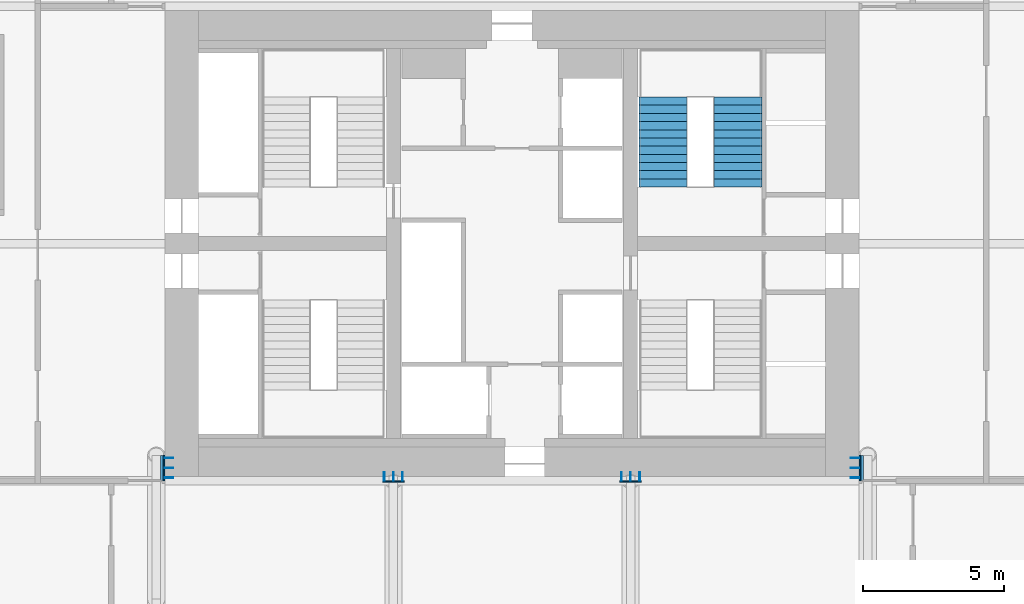
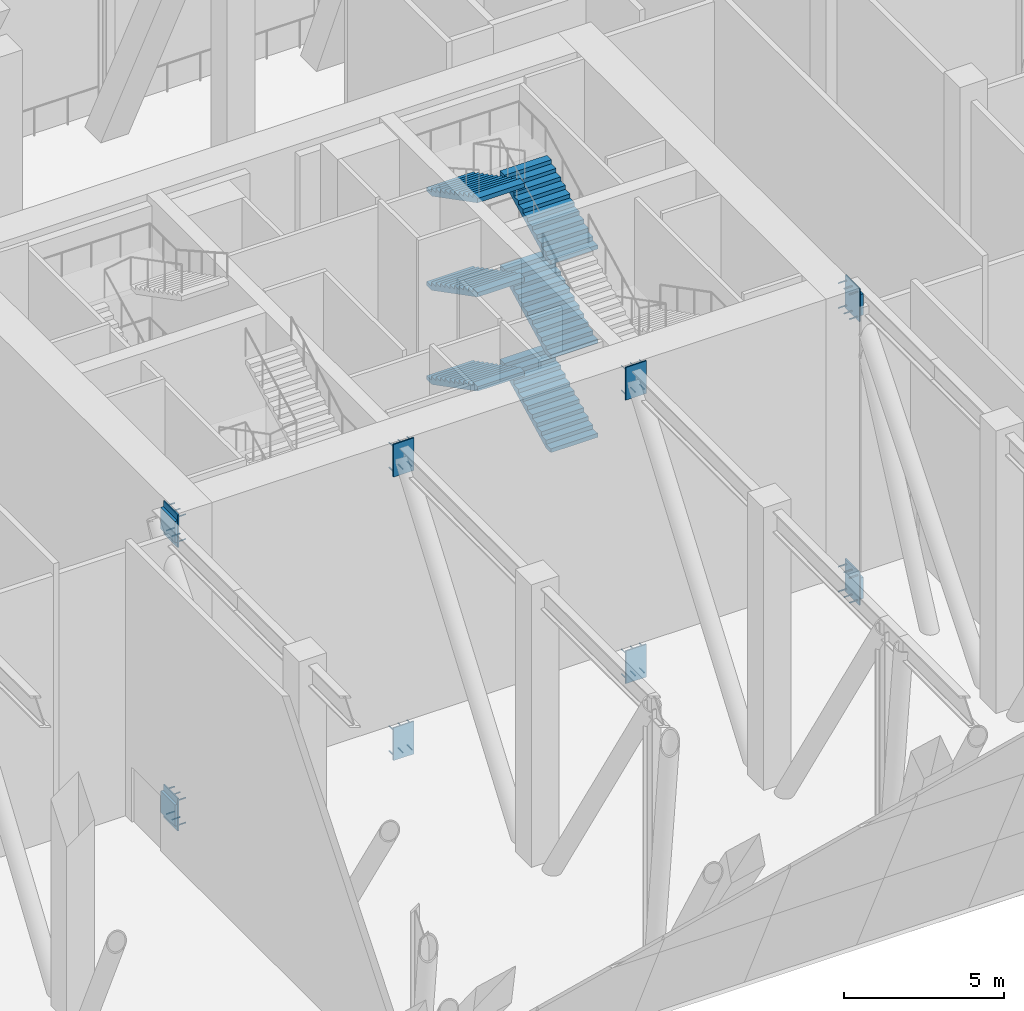
# One storey, part 13 of 19: 48 mechanical fasteners, 12 discrete accessories, 6 stair flights, 1 element without a shape of its own.
"""IFC4 building model written with IfcOpenShell, lengths in metres."""

from ifc_helpers import new_model, si_unit, direction, frame, origin, origin_2d, place, context, subcontext, project, spatial, polyline, rectangle, outline, extrude, material, layer, layer_set, type_object, element, aggregate, save


model = new_model("IFC4")

# Units and contexts
model_context = context("Model", 3, precision=1e-05, world=origin(), true_north=direction((0.0, 1.0)))
body_context = subcontext(model_context, "Body", "Model", "MODEL_VIEW")
ifc_project = project(units=[si_unit("LENGTHUNIT", "METRE"), si_unit("AREAUNIT", "SQUARE_METRE"), si_unit("VOLUMEUNIT", "CUBIC_METRE"), si_unit("PLANEANGLEUNIT", "RADIAN"), si_unit("MASSUNIT", "GRAM", prefix="KILO")], contexts=[model_context])

# Site, building, storey
site_placement = place(None, origin())
site = spatial("IfcSite", under=ifc_project, at=site_placement, CompositionType="ELEMENT")
building_placement = place(site_placement, origin())
building = spatial("IfcBuilding", under=site, at=building_placement, Name="Marenta Gate Hotel Tower", CompositionType="ELEMENT")
storey_placement = place(building_placement, frame((0.0, 0.0, 86.89990234375)))
storey = spatial("IfcBuildingStorey", under=building, at=storey_placement, Name="L20", CompositionType="ELEMENT", Elevation=86.89990234375)

# Stair, stair flights
ifc_material_1 = material(Name="Concrete C40", Category="concrete")
stair_type = type_object("IfcStairType", Name="Core exit stair 1700 wide", PredefinedType="HALF_TURN_STAIR", material=ifc_material_1)
stair_placement = place(storey_placement, origin())
stair = element("IfcStair", 1, at=stair_placement, inside=storey, type_object=stair_type, Name="Exit stair 4", PredefinedType="HALF_TURN_STAIR")
ifc_material_2 = material(Name="Concrete C40", Category="concrete")
stair_flight_type = type_object("IfcStairFlightType", Name="Core stair flight 1700 riser 150.0 going 290", PredefinedType="STRAIGHT", material=ifc_material_2)
stair_flight_1_placement = place(storey_placement, frame((8.0, 10.39990234375, 0.0), z_axis=(0.0, 0.0, 1.0), x_axis=(0.0, 1.0, 0.0)))
stair_flight_1 = element("IfcStairFlight", 2, at=stair_flight_1_placement, type_object=stair_flight_type, Name="ST4 flight 1", NumberOfRisers=12, NumberOfTreads=11, PredefinedType="STRAIGHT", RiserHeight=0.15, TreadLength=0.29, context=body_context, shape_type="SweptSolid", body=[
    extrude(outline(polyline([(0.0, 0.0), (0.0, 0.14990234375), (0.2900390625, 0.14990234375), (0.2900390625, 0.300048828125), (0.580078125, 0.300048828125), (0.580078125, 0.449951171875), (0.8701171875, 0.449951171875), (0.8701171875, 0.60009765625), (1.159912109375, 0.60009765625), (1.159912109375, 0.75), (1.449951171875, 0.75), (1.449951171875, 0.89990234375), (1.739990234375, 0.89990234375), (1.739990234375, 1.050048828125), (2.030029296875, 1.050048828125), (2.030029296875, 1.199951171875), (2.320068359375, 1.199951171875), (2.320068359375, 1.35009765625), (2.610107421875, 1.35009765625), (2.610107421875, 1.5), (2.89990234375, 1.5), (2.89990234375, 1.64990234375), (3.18994140625, 1.64990234375), (3.18994140625, 1.800048828125), (3.18994140625, 1.481201171875), (0.326171875, 0.0), (0.0, 0.0)])), frame((0.0, 0.85009765625, 0.0), z_axis=(0.0, -1.0, 0.0), x_axis=(1.0, 0.0, 0.0)), (0.0, 0.0, 1.0), 1.699951171875),
])
stair_flight_2_placement = place(storey_placement, frame((5.35009765625, 13.590087890625, 1.800048828125), z_axis=(0.0, 0.0, 1.0), x_axis=(0.0, -1.0, 0.0)))
stair_flight_2 = element("IfcStairFlight", 3, at=stair_flight_2_placement, type_object=stair_flight_type, Name="ST4 flight 2", NumberOfRisers=12, NumberOfTreads=11, PredefinedType="STRAIGHT", RiserHeight=0.15, TreadLength=0.29, context=body_context, shape_type="SweptSolid", body=[
    extrude(outline(polyline([(0.0, 0.0), (0.0, 0.14990234375), (0.2900390625, 0.14990234375), (0.2900390625, 0.300048828125), (0.580078125, 0.300048828125), (0.580078125, 0.449951171875), (0.8701171875, 0.449951171875), (0.8701171875, 0.60009765625), (1.159912109375, 0.60009765625), (1.159912109375, 0.75), (1.449951171875, 0.75), (1.449951171875, 0.89990234375), (1.739990234375, 0.89990234375), (1.739990234375, 1.050048828125), (2.030029296875, 1.050048828125), (2.030029296875, 1.199951171875), (2.320068359375, 1.199951171875), (2.320068359375, 1.35009765625), (2.610107421875, 1.35009765625), (2.610107421875, 1.5), (2.89990234375, 1.5), (2.89990234375, 1.64990234375), (3.18994140625, 1.64990234375), (3.18994140625, 1.800048828125), (3.18994140625, 1.481201171875), (0.326171875, 0.0), (0.0, 0.0)])), frame((0.0, 0.85009765625, 0.0), z_axis=(0.0, -1.0, 0.0), x_axis=(1.0, 0.0, 0.0)), (0.0, 0.0, 1.0), 1.699951171875),
])
stair_flight_3_placement = place(storey_placement, frame((8.0, 10.39990234375, 3.60009765625), z_axis=(0.0, 0.0, 1.0), x_axis=(0.0, 1.0, 0.0)))
stair_flight_3 = element("IfcStairFlight", 4, at=stair_flight_3_placement, type_object=stair_flight_type, Name="ST4 flight 3", NumberOfRisers=12, NumberOfTreads=11, PredefinedType="STRAIGHT", RiserHeight=0.15, TreadLength=0.29, context=body_context, shape_type="SweptSolid", body=[
    extrude(outline(polyline([(0.0, 0.0), (0.0, 0.14990234375), (0.2900390625, 0.14990234375), (0.2900390625, 0.300048828125), (0.580078125, 0.300048828125), (0.580078125, 0.449951171875), (0.8701171875, 0.449951171875), (0.8701171875, 0.60009765625), (1.159912109375, 0.60009765625), (1.159912109375, 0.75), (1.449951171875, 0.75), (1.449951171875, 0.89990234375), (1.739990234375, 0.89990234375), (1.739990234375, 1.050048828125), (2.030029296875, 1.050048828125), (2.030029296875, 1.199951171875), (2.320068359375, 1.199951171875), (2.320068359375, 1.35009765625), (2.610107421875, 1.35009765625), (2.610107421875, 1.5), (2.89990234375, 1.5), (2.89990234375, 1.64990234375), (3.18994140625, 1.64990234375), (3.18994140625, 1.800048828125), (3.18994140625, 1.481201171875), (0.326171875, 0.0), (0.0, 0.0)])), frame((0.0, 0.85009765625, 0.0), z_axis=(0.0, -1.0, 0.0), x_axis=(1.0, 0.0, 0.0)), (0.0, 0.0, 1.0), 1.699951171875),
])
stair_flight_4_placement = place(storey_placement, frame((5.35009765625, 13.590087890625, 5.400146484375), z_axis=(0.0, 0.0, 1.0), x_axis=(0.0, -1.0, 0.0)))
stair_flight_4 = element("IfcStairFlight", 5, at=stair_flight_4_placement, type_object=stair_flight_type, Name="ST4 flight 4", NumberOfRisers=12, NumberOfTreads=11, PredefinedType="STRAIGHT", RiserHeight=0.15, TreadLength=0.29, context=body_context, shape_type="SweptSolid", body=[
    extrude(outline(polyline([(0.0, 0.0), (0.0, 0.14990234375), (0.2900390625, 0.14990234375), (0.2900390625, 0.300048828125), (0.580078125, 0.300048828125), (0.580078125, 0.449951171875), (0.8701171875, 0.449951171875), (0.8701171875, 0.60009765625), (1.159912109375, 0.60009765625), (1.159912109375, 0.75), (1.449951171875, 0.75), (1.449951171875, 0.89990234375), (1.739990234375, 0.89990234375), (1.739990234375, 1.050048828125), (2.030029296875, 1.050048828125), (2.030029296875, 1.199951171875), (2.320068359375, 1.199951171875), (2.320068359375, 1.35009765625), (2.610107421875, 1.35009765625), (2.610107421875, 1.5), (2.89990234375, 1.5), (2.89990234375, 1.64990234375), (3.18994140625, 1.64990234375), (3.18994140625, 1.800048828125), (3.18994140625, 1.481201171875), (0.326171875, 0.0), (0.0, 0.0)])), frame((0.0, 0.85009765625, 0.0), z_axis=(0.0, -1.0, 0.0), x_axis=(1.0, 0.0, 0.0)), (0.0, 0.0, 1.0), 1.699951171875),
])
stair_flight_5_placement = place(storey_placement, frame((8.0, 10.39990234375, 7.2001953125), z_axis=(0.0, 0.0, 1.0), x_axis=(0.0, 1.0, 0.0)))
stair_flight_5 = element("IfcStairFlight", 6, at=stair_flight_5_placement, type_object=stair_flight_type, Name="ST4 flight 5", NumberOfRisers=12, NumberOfTreads=11, PredefinedType="STRAIGHT", RiserHeight=0.15, TreadLength=0.29, context=body_context, shape_type="SweptSolid", body=[
    extrude(outline(polyline([(0.0, 0.0), (0.0, 0.14990234375), (0.2900390625, 0.14990234375), (0.2900390625, 0.300048828125), (0.580078125, 0.300048828125), (0.580078125, 0.449951171875), (0.8701171875, 0.449951171875), (0.8701171875, 0.60009765625), (1.159912109375, 0.60009765625), (1.159912109375, 0.75), (1.449951171875, 0.75), (1.449951171875, 0.89990234375), (1.739990234375, 0.89990234375), (1.739990234375, 1.050048828125), (2.030029296875, 1.050048828125), (2.030029296875, 1.199951171875), (2.320068359375, 1.199951171875), (2.320068359375, 1.35009765625), (2.610107421875, 1.35009765625), (2.610107421875, 1.5), (2.89990234375, 1.5), (2.89990234375, 1.64990234375), (3.18994140625, 1.64990234375), (3.18994140625, 1.800048828125), (3.18994140625, 1.481201171875), (0.326171875, 0.0), (0.0, 0.0)])), frame((0.0, 0.85009765625, 0.0), z_axis=(0.0, -1.0, 0.0), x_axis=(1.0, 0.0, 0.0)), (0.0, 0.0, 1.0), 1.699951171875),
])
stair_flight_6_placement = place(storey_placement, frame((5.35009765625, 13.590087890625, 9.0), z_axis=(0.0, 0.0, 1.0), x_axis=(0.0, -1.0, 0.0)))
stair_flight_6 = element("IfcStairFlight", 7, at=stair_flight_6_placement, type_object=stair_flight_type, Name="ST4 flight 6", NumberOfRisers=12, NumberOfTreads=11, PredefinedType="STRAIGHT", RiserHeight=0.15, TreadLength=0.29, context=body_context, shape_type="SweptSolid", body=[
    extrude(outline(polyline([(0.0, 0.0), (0.0, 0.14990234375), (0.2900390625, 0.14990234375), (0.2900390625, 0.300048828125), (0.580078125, 0.300048828125), (0.580078125, 0.449951171875), (0.8701171875, 0.449951171875), (0.8701171875, 0.60009765625), (1.159912109375, 0.60009765625), (1.159912109375, 0.75), (1.449951171875, 0.75), (1.449951171875, 0.89990234375), (1.739990234375, 0.89990234375), (1.739990234375, 1.050048828125), (2.030029296875, 1.050048828125), (2.030029296875, 1.199951171875), (2.320068359375, 1.199951171875), (2.320068359375, 1.35009765625), (2.610107421875, 1.35009765625), (2.610107421875, 1.5), (2.89990234375, 1.5), (2.89990234375, 1.64990234375), (3.18994140625, 1.64990234375), (3.18994140625, 1.800048828125), (3.18994140625, 1.481201171875), (0.326171875, 0.0), (0.0, 0.0)])), frame((0.0, 0.85009765625, 0.0), z_axis=(0.0, -1.0, 0.0), x_axis=(1.0, 0.0, 0.0)), (0.0, 0.0, 1.0), 1.699951171875),
])
aggregate(stair, [stair_flight_1, stair_flight_2, stair_flight_3, stair_flight_4, stair_flight_5, stair_flight_6])

# Discrete accessories
ifc_material_3 = material(Name="Steel S355", Category="steel")
ifc_layer_1 = layer(ifc_material_3, 0.050048828125)
ifc_layer_set_1 = layer_set([ifc_layer_1], Name="Steel S355")
discrete_accessory_type_1 = type_object("IfcDiscreteAccessoryType", Name="Embed plate 750 x 1250 x 50", PredefinedType="ANCHORPLATE", material=ifc_layer_set_1)
for number, where, z_axis, x_axis, name in (
    (8, (-4.199951171875, -0.02490234375, -1.331787109375), (0.0, 0.0, 1.0), (1.0, 0.0, 0.0), "EP1 Embed plate CN-L20-6B"),
    (9, (-4.199951171875, -0.02490234375, 9.508056640625), (0.0, 0.0, 1.0), (1.0, 0.0, 0.0), "EP1 Embed plate CN-L20-6T"),
    (10, (4.199951171875, -0.02490234375, -1.331787109375), (0.0, 0.0, 1.0), (1.0, 0.0, 0.0), "EP1 Embed plate CN-L20-7B"),
    (11, (4.199951171875, -0.02490234375, 9.508056640625), (0.0, 0.0, 1.0), (1.0, 0.0, 0.0), "EP1 Embed plate CN-L20-7T"),
):
    element("IfcDiscreteAccessory", number, at=place(storey_placement, frame(where, z_axis=z_axis, x_axis=x_axis)), inside=storey, type_object=discrete_accessory_type_1, Name=name, PredefinedType="ANCHORPLATE", context=body_context, shape_type="SweptSolid", body=[
        extrude(rectangle(XDim=0.75, YDim=0.050048828125, at=origin_2d()), origin(), (0.0, 0.0, 1.0), 1.25),
    ])
ifc_material_4 = material(Name="Steel S355", Category="steel")
ifc_layer_2 = layer(ifc_material_4, 0.050048828125)
ifc_layer_set_2 = layer_set([ifc_layer_2], Name="Steel S355")
discrete_accessory_type_2 = type_object("IfcDiscreteAccessoryType", Name="Embed plate 900 x 1250 x 50", PredefinedType="ANCHORPLATE", material=ifc_layer_set_2)
for number, where, z_axis, x_axis, name in (
    (12, (-12.324951171875, 0.449951171875, -1.331787109375), (0.0, 0.0, 1.0), (1.0, 0.0, 0.0), "EP1 Embed plate CN-L20-5B"),
    (13, (-12.324951171875, 0.449951171875, 9.508056640625), (0.0, 0.0, 1.0), (1.0, 0.0, 0.0), "EP1 Embed plate CN-L20-5T"),
    (14, (12.324951171875, 0.449951171875, -1.331787109375), (0.0, 0.0, 1.0), (1.0, 0.0, 0.0), "EP1 Embed plate CN-L20-8B"),
    (15, (12.324951171875, 0.449951171875, 9.508056640625), (0.0, 0.0, 1.0), (1.0, 0.0, 0.0), "EP1 Embed plate CN-L20-8T"),
):
    element("IfcDiscreteAccessory", number, at=place(storey_placement, frame(where, z_axis=z_axis, x_axis=x_axis)), inside=storey, type_object=discrete_accessory_type_2, Name=name, PredefinedType="ANCHORPLATE", context=body_context, shape_type="SweptSolid", body=[
        extrude(rectangle(XDim=0.050048828125, YDim=0.89990234375, at=origin_2d()), origin(), (0.0, 0.0, 1.0), 1.25),
    ])

# Mechanical fasteners
ifc_material_5 = material(Name="Steel S355", Category="steel")
mechanical_fastener_type = type_object("IfcMechanicalFastenerType", Name="Headed anchor stud 25 x 300", PredefinedType="ANCHORBOLT", material=ifc_material_5)
for number, where, z_axis, x_axis, name in (
    (16, (-12.14990234375, 0.10009765625, -1.1943359375), (0.0, 0.0, 1.0), (1.0, 0.0, 0.0), "AS1 Anchor stud CN-L20-5B-A1"),
    (17, (-12.14990234375, 0.449951171875, -1.1943359375), (0.0, 0.0, 1.0), (1.0, 0.0, 0.0), "AS1 Anchor stud CN-L20-5B-A2"),
    (18, (-12.14990234375, 0.800048828125, -1.1943359375), (0.0, 0.0, 1.0), (1.0, 0.0, 0.0), "AS1 Anchor stud CN-L20-5B-A3"),
    (19, (-12.14990234375, 0.10009765625, -0.244384765625), (0.0, 0.0, 1.0), (1.0, 0.0, 0.0), "AS1 Anchor stud CN-L20-5B-A4"),
    (20, (-12.14990234375, 0.449951171875, -0.244384765625), (0.0, 0.0, 1.0), (1.0, 0.0, 0.0), "AS1 Anchor stud CN-L20-5B-A5"),
    (21, (-12.14990234375, 0.800048828125, -0.244384765625), (0.0, 0.0, 1.0), (1.0, 0.0, 0.0), "AS1 Anchor stud CN-L20-5B-A6"),
    (22, (-12.14990234375, 0.10009765625, 9.645751953125), (0.0, 0.0, 1.0), (1.0, 0.0, 0.0), "AS1 Anchor stud CN-L20-5T-A1"),
    (23, (-12.14990234375, 0.449951171875, 9.645751953125), (0.0, 0.0, 1.0), (1.0, 0.0, 0.0), "AS1 Anchor stud CN-L20-5T-A2"),
    (24, (-12.14990234375, 0.800048828125, 9.645751953125), (0.0, 0.0, 1.0), (1.0, 0.0, 0.0), "AS1 Anchor stud CN-L20-5T-A3"),
    (25, (-12.14990234375, 0.10009765625, 10.595703125), (0.0, 0.0, 1.0), (1.0, 0.0, 0.0), "AS1 Anchor stud CN-L20-5T-A4"),
    (26, (-12.14990234375, 0.449951171875, 10.595703125), (0.0, 0.0, 1.0), (1.0, 0.0, 0.0), "AS1 Anchor stud CN-L20-5T-A5"),
    (27, (-12.14990234375, 0.800048828125, 10.595703125), (0.0, 0.0, 1.0), (1.0, 0.0, 0.0), "AS1 Anchor stud CN-L20-5T-A6"),
):
    element("IfcMechanicalFastener", number, at=place(storey_placement, frame(where, z_axis=z_axis, x_axis=x_axis)), inside=storey, type_object=mechanical_fastener_type, Name=name, PredefinedType="ANCHORBOLT", context=body_context, shape_type="SweptSolid", body=[
        extrude(rectangle(XDim=0.300048828125, YDim=0.02490234375, at=origin_2d()), origin(), (0.0, 0.0, 1.0), 0.02490234375),
    ])
for number, where, z_axis, x_axis, name in (
    (28, (-4.52490234375, 0.14990234375, -1.1943359375), (0.0, 0.0, 1.0), (1.0, 0.0, 0.0), "AS1 Anchor stud CN-L20-6B-A1"),
    (29, (-4.199951171875, 0.14990234375, -1.1943359375), (0.0, 0.0, 1.0), (1.0, 0.0, 0.0), "AS1 Anchor stud CN-L20-6B-A2"),
    (30, (-3.875, 0.14990234375, -1.1943359375), (0.0, 0.0, 1.0), (1.0, 0.0, 0.0), "AS1 Anchor stud CN-L20-6B-A3"),
    (31, (-4.52490234375, 0.14990234375, -0.244384765625), (0.0, 0.0, 1.0), (1.0, 0.0, 0.0), "AS1 Anchor stud CN-L20-6B-A4"),
    (32, (-4.199951171875, 0.14990234375, -0.244384765625), (0.0, 0.0, 1.0), (1.0, 0.0, 0.0), "AS1 Anchor stud CN-L20-6B-A5"),
    (33, (-3.875, 0.14990234375, -0.244384765625), (0.0, 0.0, 1.0), (1.0, 0.0, 0.0), "AS1 Anchor stud CN-L20-6B-A6"),
    (34, (-4.52490234375, 0.14990234375, 9.645751953125), (0.0, 0.0, 1.0), (1.0, 0.0, 0.0), "AS1 Anchor stud CN-L20-6T-A1"),
    (35, (-4.199951171875, 0.14990234375, 9.645751953125), (0.0, 0.0, 1.0), (1.0, 0.0, 0.0), "AS1 Anchor stud CN-L20-6T-A2"),
    (36, (-3.875, 0.14990234375, 9.645751953125), (0.0, 0.0, 1.0), (1.0, 0.0, 0.0), "AS1 Anchor stud CN-L20-6T-A3"),
    (37, (-4.52490234375, 0.14990234375, 10.595703125), (0.0, 0.0, 1.0), (1.0, 0.0, 0.0), "AS1 Anchor stud CN-L20-6T-A4"),
    (38, (-4.199951171875, 0.14990234375, 10.595703125), (0.0, 0.0, 1.0), (1.0, 0.0, 0.0), "AS1 Anchor stud CN-L20-6T-A5"),
    (39, (-3.875, 0.14990234375, 10.595703125), (0.0, 0.0, 1.0), (1.0, 0.0, 0.0), "AS1 Anchor stud CN-L20-6T-A6"),
    (40, (3.875, 0.14990234375, -1.1943359375), (0.0, 0.0, 1.0), (1.0, 0.0, 0.0), "AS1 Anchor stud CN-L20-7B-A1"),
    (41, (4.199951171875, 0.14990234375, -1.1943359375), (0.0, 0.0, 1.0), (1.0, 0.0, 0.0), "AS1 Anchor stud CN-L20-7B-A2"),
    (42, (4.52490234375, 0.14990234375, -1.1943359375), (0.0, 0.0, 1.0), (1.0, 0.0, 0.0), "AS1 Anchor stud CN-L20-7B-A3"),
    (43, (3.875, 0.14990234375, -0.244384765625), (0.0, 0.0, 1.0), (1.0, 0.0, 0.0), "AS1 Anchor stud CN-L20-7B-A4"),
    (44, (4.199951171875, 0.14990234375, -0.244384765625), (0.0, 0.0, 1.0), (1.0, 0.0, 0.0), "AS1 Anchor stud CN-L20-7B-A5"),
    (45, (4.52490234375, 0.14990234375, -0.244384765625), (0.0, 0.0, 1.0), (1.0, 0.0, 0.0), "AS1 Anchor stud CN-L20-7B-A6"),
    (46, (3.875, 0.14990234375, 9.645751953125), (0.0, 0.0, 1.0), (1.0, 0.0, 0.0), "AS1 Anchor stud CN-L20-7T-A1"),
    (47, (4.199951171875, 0.14990234375, 9.645751953125), (0.0, 0.0, 1.0), (1.0, 0.0, 0.0), "AS1 Anchor stud CN-L20-7T-A2"),
    (48, (4.52490234375, 0.14990234375, 9.645751953125), (0.0, 0.0, 1.0), (1.0, 0.0, 0.0), "AS1 Anchor stud CN-L20-7T-A3"),
    (49, (3.875, 0.14990234375, 10.595703125), (0.0, 0.0, 1.0), (1.0, 0.0, 0.0), "AS1 Anchor stud CN-L20-7T-A4"),
    (50, (4.199951171875, 0.14990234375, 10.595703125), (0.0, 0.0, 1.0), (1.0, 0.0, 0.0), "AS1 Anchor stud CN-L20-7T-A5"),
    (51, (4.52490234375, 0.14990234375, 10.595703125), (0.0, 0.0, 1.0), (1.0, 0.0, 0.0), "AS1 Anchor stud CN-L20-7T-A6"),
):
    element("IfcMechanicalFastener", number, at=place(storey_placement, frame(where, z_axis=z_axis, x_axis=x_axis)), inside=storey, type_object=mechanical_fastener_type, Name=name, PredefinedType="ANCHORBOLT", context=body_context, shape_type="SweptSolid", body=[
        extrude(rectangle(XDim=0.02490234375, YDim=0.300048828125, at=origin_2d()), origin(), (0.0, 0.0, 1.0), 0.02490234375),
    ])
for number, where, z_axis, x_axis, name in (
    (52, (12.14990234375, 0.10009765625, -1.1943359375), (0.0, 0.0, 1.0), (1.0, 0.0, 0.0), "AS1 Anchor stud CN-L20-8B-A1"),
    (53, (12.14990234375, 0.449951171875, -1.1943359375), (0.0, 0.0, 1.0), (1.0, 0.0, 0.0), "AS1 Anchor stud CN-L20-8B-A2"),
    (54, (12.14990234375, 0.800048828125, -1.1943359375), (0.0, 0.0, 1.0), (1.0, 0.0, 0.0), "AS1 Anchor stud CN-L20-8B-A3"),
    (55, (12.14990234375, 0.10009765625, -0.244384765625), (0.0, 0.0, 1.0), (1.0, 0.0, 0.0), "AS1 Anchor stud CN-L20-8B-A4"),
    (56, (12.14990234375, 0.449951171875, -0.244384765625), (0.0, 0.0, 1.0), (1.0, 0.0, 0.0), "AS1 Anchor stud CN-L20-8B-A5"),
    (57, (12.14990234375, 0.800048828125, -0.244384765625), (0.0, 0.0, 1.0), (1.0, 0.0, 0.0), "AS1 Anchor stud CN-L20-8B-A6"),
    (58, (12.14990234375, 0.10009765625, 9.645751953125), (0.0, 0.0, 1.0), (1.0, 0.0, 0.0), "AS1 Anchor stud CN-L20-8T-A1"),
    (59, (12.14990234375, 0.449951171875, 9.645751953125), (0.0, 0.0, 1.0), (1.0, 0.0, 0.0), "AS1 Anchor stud CN-L20-8T-A2"),
    (60, (12.14990234375, 0.800048828125, 9.645751953125), (0.0, 0.0, 1.0), (1.0, 0.0, 0.0), "AS1 Anchor stud CN-L20-8T-A3"),
    (61, (12.14990234375, 0.10009765625, 10.595703125), (0.0, 0.0, 1.0), (1.0, 0.0, 0.0), "AS1 Anchor stud CN-L20-8T-A4"),
    (62, (12.14990234375, 0.449951171875, 10.595703125), (0.0, 0.0, 1.0), (1.0, 0.0, 0.0), "AS1 Anchor stud CN-L20-8T-A5"),
    (63, (12.14990234375, 0.800048828125, 10.595703125), (0.0, 0.0, 1.0), (1.0, 0.0, 0.0), "AS1 Anchor stud CN-L20-8T-A6"),
):
    element("IfcMechanicalFastener", number, at=place(storey_placement, frame(where, z_axis=z_axis, x_axis=x_axis)), inside=storey, type_object=mechanical_fastener_type, Name=name, PredefinedType="ANCHORBOLT", context=body_context, shape_type="SweptSolid", body=[
        extrude(rectangle(XDim=0.300048828125, YDim=0.02490234375, at=origin_2d()), origin(), (0.0, 0.0, 1.0), 0.02490234375),
    ])

# Discrete accessories
ifc_material_6 = material(Name="Steel S355", Category="steel")
ifc_layer_3 = layer(ifc_material_6, 0.098388671875)
ifc_layer_set_3 = layer_set([ifc_layer_3], Name="Steel S355")
discrete_accessory_type_3 = type_object("IfcDiscreteAccessoryType", Name="Packer plate 98 thick", PredefinedType="ANCHORPLATE", material=ifc_layer_set_3)
for number, where, z_axis, x_axis, name in (
    (64, (-12.3994140625, 0.449951171875, -1.11376953125), (0.0, 0.0, 1.0), (1.0, 0.0, 0.0), "PK1 Packer plate CN-L20-5B-K"),
    (65, (-12.3994140625, 0.449951171875, 9.72607421875), (0.0, 0.0, 1.0), (1.0, 0.0, 0.0), "PK1 Packer plate CN-L20-5T-K"),
    (66, (12.3994140625, 0.449951171875, -1.11376953125), (0.0, 0.0, 1.0), (1.0, 0.0, 0.0), "PK1 Packer plate CN-L20-8B-K"),
    (67, (12.3994140625, 0.449951171875, 9.72607421875), (0.0, 0.0, 1.0), (1.0, 0.0, 0.0), "PK1 Packer plate CN-L20-8T-K"),
):
    element("IfcDiscreteAccessory", number, at=place(storey_placement, frame(where, z_axis=z_axis, x_axis=x_axis)), inside=storey, type_object=discrete_accessory_type_3, Name=name, PredefinedType="ANCHORPLATE", context=body_context, shape_type="SweptSolid", body=[
        extrude(rectangle(XDim=0.098388671875, YDim=0.89990234375, at=origin_2d()), origin(), (0.0, 0.0, 1.0), 0.81396484375),
    ])

save(model, "model.ifc")
